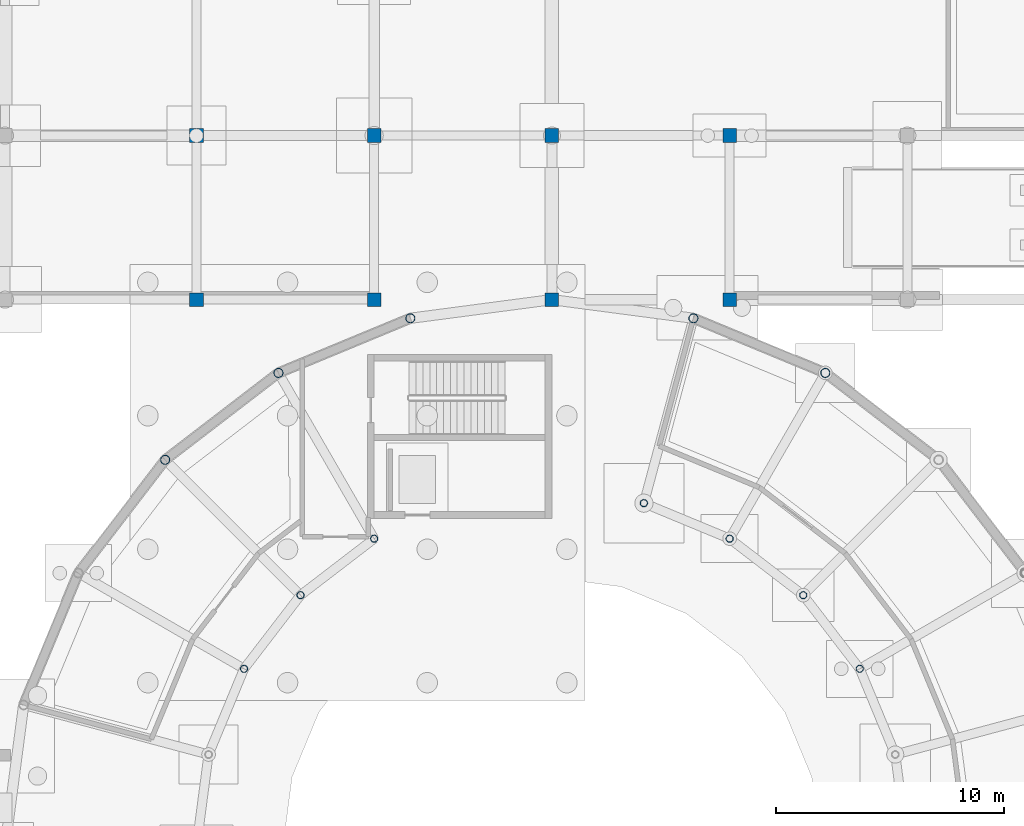
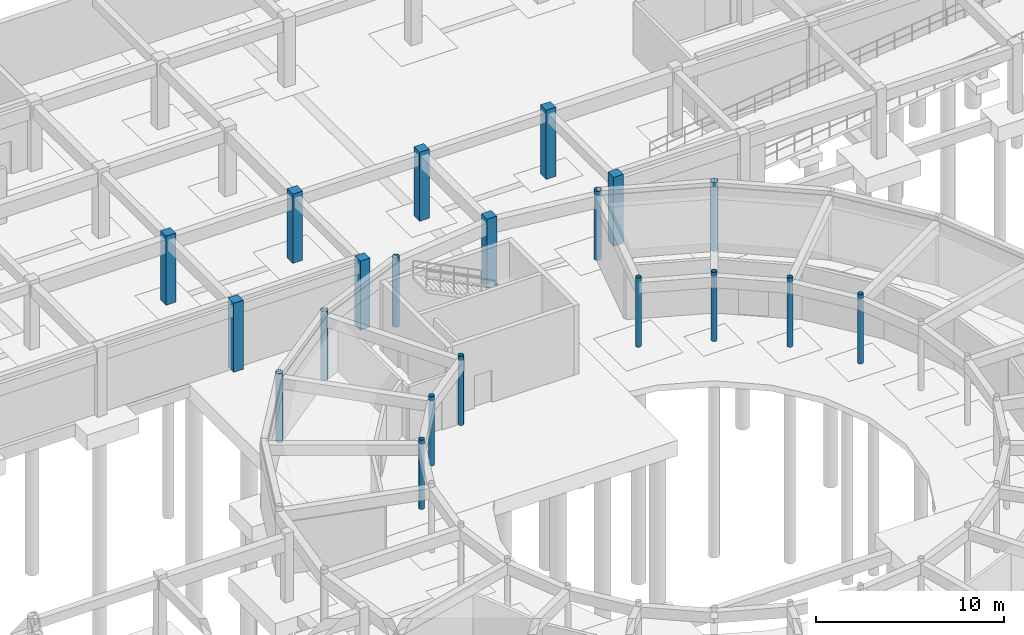
# One storey, part 19 of 43: 20 columns.
"""IFC4 building model written with IfcOpenShell, lengths in metres."""

import ifcopenshell
import ifcopenshell.guid

model = None  # the IFC model being written
_history = None  # IfcOwnerHistory: only IFC2X3 demands one
_inside = {}  # id of a spatial element -> (the spatial element, [elements in it])
_under = {}  # id of a project, library or spatial element -> (it, [spatial elements below it])
_declared = {}  # id of a project -> (the project, [libraries it declares])
_typed = {}  # id of a type object -> (the type object, [elements of that type])
_made_of = {}  # id of a material, layer set ... -> (it, [elements and type objects made of it])


def new_model(schema):
    """Start an empty IFC model of exactly this schema.

    Asked for "IFC4X3", IfcOpenShell would pick the latest addendum, in which some entities
    have other attributes; the version numbers below select the first issue.
    IFC2X3 requires an IfcOwnerHistory on every rooted entity: one is made here for all.
    """
    global model, _history
    if schema == "IFC4X3":
        model = ifcopenshell.file(schema_version=(4, 3, 0, 0))
    else:
        model = ifcopenshell.file(schema=schema)
    _inside.clear()
    _under.clear()
    _declared.clear()
    _typed.clear()
    _made_of.clear()
    _history = None
    if model.schema == "IFC2X3":
        org = make("IfcOrganization", Name="unknown")
        user = make(
            "IfcPersonAndOrganization",
            ThePerson=make("IfcPerson", FamilyName="unknown"),
            TheOrganization=org,
        )
        app = make(
            "IfcApplication",
            ApplicationDeveloper=org,
            Version="unknown",
            ApplicationFullName="unknown",
            ApplicationIdentifier="unknown",
        )
        _history = make(
            "IfcOwnerHistory",
            OwningUser=user,
            OwningApplication=app,
            ChangeAction="ADDED",
            CreationDate=0,
        )
    return model


def make(cls, **values):
    """One entity of the class cls with the attributes given. An attribute that is None is left unset."""
    return model.create_entity(
        cls, **{name: value for name, value in values.items() if value is not None}
    )


def rooted(cls, **values):
    """An entity with a GlobalId (a new one), such as an element, a storey or a relation."""
    return make(cls, GlobalId=ifcopenshell.guid.new(), OwnerHistory=_history, **values)


def si_unit(unit_type, name, prefix=None):
    """IfcSIUnit, for example si_unit("LENGTHUNIT", "METRE", prefix="MILLI")."""
    return make("IfcSIUnit", UnitType=unit_type, Prefix=prefix, Name=name)


def derived_unit(unit_type, elements):
    """IfcDerivedUnit: a product of units, each with its exponent."""
    return make(
        "IfcDerivedUnit",
        Elements=[
            make("IfcDerivedUnitElement", Unit=unit, Exponent=power)
            for unit, power in elements
        ],
        UnitType=unit_type,
    )


def assignment(units):
    """IfcUnitAssignment: the units of a project."""
    return None if units is None else make("IfcUnitAssignment", Units=units)


def point(xyz):
    """IfcCartesianPoint."""
    return None if xyz is None else make("IfcCartesianPoint", Coordinates=xyz)


def direction(xyz):
    """IfcDirection."""
    return None if xyz is None else make("IfcDirection", DirectionRatios=xyz)


def frame(location, z_axis=None, x_axis=None):
    """IfcAxis2Placement3D, a coordinate frame: its origin and axes. An axis left out is left unset."""
    return make(
        "IfcAxis2Placement3D",
        Location=point(location),
        Axis=direction(z_axis),
        RefDirection=direction(x_axis),
    )


def frame_2d(location, x_axis=None):
    """IfcAxis2Placement2D, a coordinate frame in the plane: its origin and x axis."""
    return make(
        "IfcAxis2Placement2D", Location=point(location), RefDirection=direction(x_axis)
    )


def origin():
    """The frame at (0, 0, 0) with its axes left unset."""
    return frame((0.0, 0.0, 0.0))


def origin_2d():
    """The frame at (0, 0) in the plane with its x axis left unset."""
    return frame_2d((0.0, 0.0))


def place(relative_to, where):
    """IfcLocalPlacement: puts the frame where relative to a parent placement (None: the world)."""
    return make(
        "IfcLocalPlacement", PlacementRelTo=relative_to, RelativePlacement=where
    )


def context(
    kind, dimensions, precision=None, world=None, true_north=None, identifier=None
):
    """IfcGeometricRepresentationContext, for example the 3D "Model" context."""
    return make(
        "IfcGeometricRepresentationContext",
        ContextIdentifier=identifier,
        ContextType=kind,
        CoordinateSpaceDimension=dimensions,
        Precision=precision,
        WorldCoordinateSystem=world,
        TrueNorth=true_north,
    )


def subcontext(parent, identifier, kind, view, scale=None):
    """IfcGeometricRepresentationSubContext, for example "Body" below "Model"."""
    return make(
        "IfcGeometricRepresentationSubContext",
        ContextIdentifier=identifier,
        ContextType=kind,
        ParentContext=parent,
        TargetScale=scale,
        TargetView=view,
    )


def project(units=None, contexts=None):
    """IfcProject with its units and contexts."""
    return rooted(
        "IfcProject",
        Name="project",
        RepresentationContexts=contexts,
        UnitsInContext=assignment(units),
    )


def spatial(cls, under=None, at=None, **own):
    """A site, building, storey or space (cls), placed at a placement, below another one or the project."""
    s = rooted(cls, ObjectPlacement=at, **own)
    if under is not None:
        _under.setdefault(under.id(), (under, []))[1].append(s)
    return s


def profile(cls, at=None, kind="AREA", **sizes):
    """A parametric profile (cls). Its sizes go by their IFC names, for example OverallWidth=200.0."""
    return make(cls, ProfileType=kind, Position=at, **sizes)


def rectangle(**sizes):
    """IfcRectangleProfileDef."""
    return profile("IfcRectangleProfileDef", **sizes)


def hollow_circle(**sizes):
    """IfcCircleHollowProfileDef."""
    return profile("IfcCircleHollowProfileDef", **sizes)


def extrude(swept, where, along, depth):
    """IfcExtrudedAreaSolid: the profile swept, set in the frame where, extruded along a direction by depth."""
    return make(
        "IfcExtrudedAreaSolid",
        SweptArea=swept,
        Position=where,
        ExtrudedDirection=direction(along),
        Depth=depth,
    )


def shape(context_of_items, identifier, shape_type, items):
    """IfcShapeRepresentation: the items that make up one representation, for example the "Body"."""
    return make(
        "IfcShapeRepresentation",
        ContextOfItems=context_of_items,
        RepresentationIdentifier=identifier,
        RepresentationType=shape_type,
        Items=items,
    )


def material(Name=None, Category=None):
    """IfcMaterial."""
    return make("IfcMaterial", Name=Name, Category=Category)


def material_profile(
    of_material, cross_section, Name=None, Category=None, Priority=None
):
    """IfcMaterialProfile: a cross section and its material."""
    return make(
        "IfcMaterialProfile",
        Name=Name,
        Material=of_material,
        Profile=cross_section,
        Priority=Priority,
        Category=Category,
    )


def profile_set(profiles, Name=None, composite=None):
    """IfcMaterialProfileSet."""
    return make(
        "IfcMaterialProfileSet",
        Name=Name,
        MaterialProfiles=profiles,
        CompositeProfile=composite,
    )


def made_of(thing, what):
    """Note that an element or type object is made of a material, layer set ...; save() writes the relation."""
    if what is not None:
        _made_of.setdefault(what.id(), (what, []))[1].append(thing)
    return thing


def type_object(cls, material=None, **own):
    """A type object (cls), such as IfcWallType, which elements share."""
    return made_of(rooted(cls, **own), material)


def element(
    cls,
    number,
    at=None,
    inside=None,
    cuts=None,
    type_object=None,
    material=None,
    context=None,
    identifier="Body",
    shape_type=None,
    held_by="IfcProductDefinitionShape",
    body=None,
    shapes=None,
    **own,
):
    """One element of the class cls, such as IfcWall. Its Tag is "e" and its number.

    at: its placement. inside: the storey or other place that contains it. cuts: it is an
    opening in that element (IfcRelVoidsElement). A single representation is given by context,
    identifier, shape_type and body (its items); several are given by shapes. held_by: the class
    of the entity that holds the representations. save() writes the other relations.
    """
    e = rooted(cls, Tag="e%d" % number, ObjectPlacement=at, **own)
    if body is not None:
        shapes = [shape(context, identifier, shape_type, body)]
    if shapes is not None:
        e.Representation = make(held_by, Representations=shapes)
    if inside is not None:
        _inside.setdefault(inside.id(), (inside, []))[1].append(e)
    if cuts is not None:
        rooted(
            "IfcRelVoidsElement", RelatingBuildingElement=cuts, RelatedOpeningElement=e
        )
    if type_object is not None:
        _typed.setdefault(type_object.id(), (type_object, []))[1].append(e)
    return made_of(e, material)


def aggregate(whole, parts):
    """IfcRelAggregates: a whole, such as a stair, and the parts it consists of."""
    return rooted("IfcRelAggregates", RelatingObject=whole, RelatedObjects=parts)


def save(model, path):
    """Write the relations noted so far, then the file.

    IfcRelAggregates (storeys below a building ...), IfcRelContainedInSpatialStructure (elements
    in a storey), IfcRelDefinesByType, IfcRelAssociatesMaterial and IfcRelDeclares: one each for
    every whole, place, type object, material and project.
    """
    for whole, parts in _under.values():
        aggregate(whole, parts)
    for where, things in _inside.values():
        rooted(
            "IfcRelContainedInSpatialStructure",
            RelatedElements=things,
            RelatingStructure=where,
        )
    for kind, things in _typed.values():
        rooted("IfcRelDefinesByType", RelatedObjects=things, RelatingType=kind)
    for what, things in _made_of.values():
        rooted("IfcRelAssociatesMaterial", RelatedObjects=things, RelatingMaterial=what)
    for by, libraries in _declared.values():
        rooted("IfcRelDeclares", RelatingContext=by, RelatedDefinitions=libraries)
    model.write(path)


model = new_model("IFC4")

# Units and contexts
model_context = context("Model", 3, precision=1e-05, world=origin(), true_north=direction((0.0, 1.0)))
body_context = subcontext(model_context, "Body", "Model", "MODEL_VIEW")
ifc_project = project(units=[si_unit("LENGTHUNIT", "METRE"), si_unit("AREAUNIT", "SQUARE_METRE"), si_unit("VOLUMEUNIT", "CUBIC_METRE"), si_unit("PLANEANGLEUNIT", "RADIAN"), si_unit("MASSUNIT", "GRAM", prefix="KILO"), derived_unit("THERMALTRANSMITTANCEUNIT", [(si_unit("POWERUNIT", "WATT"), 1), (si_unit("AREAUNIT", "SQUARE_METRE"), -1), (si_unit("THERMODYNAMICTEMPERATUREUNIT", "KELVIN"), -1)])], contexts=[model_context])

# Site, building, storey
site_placement = place(None, origin())
site = spatial("IfcSite", under=ifc_project, at=site_placement, CompositionType="ELEMENT")
building_placement = place(site_placement, origin())
building = spatial("IfcBuilding", under=site, at=building_placement, Name="Yasenodar Specialist Clinic", CompositionType="ELEMENT")
storey_placement = place(building_placement, frame((0.0, 0.0, -4.5)))
storey = spatial("IfcBuildingStorey", under=building, at=storey_placement, Name="B1", CompositionType="ELEMENT", Elevation=-4.5)

# Columns
ifc_material_1 = material(Name="Concrete C35/45", Category="concrete")
ifc_material_profile_1 = material_profile(ifc_material_1, rectangle(XDim=0.60009765625, YDim=0.60009765625, at=origin_2d()), Name="RC 600x600")
ifc_profile_set_1 = profile_set([ifc_material_profile_1], Name="Concrete C35/45")
column_type_1 = type_object("IfcColumnType", Name="COL-RC-600", PredefinedType="COLUMN", material=ifc_profile_set_1)
for number, where, z_axis, x_axis, name in (
    (1, (65.39990234375, 82.800048828125, 0.0), (0.0, 0.0, 1.0), (1.0, 0.0, 0.0), "B1 Column V5-093"),
    (2, (65.39990234375, 90.0, 0.0), (0.0, 0.0, 1.0), (1.0, 0.0, 0.0), "B1 Column V5-094"),
    (3, (73.199951171875, 82.800048828125, 0.0), (0.0, 0.0, 1.0), (1.0, 0.0, 0.0), "B1 Column V5-098"),
    (4, (73.199951171875, 90.0, 0.0), (0.0, 0.0, 1.0), (1.0, 0.0, 0.0), "B1 Column V5-099"),
    (5, (81.0, 82.800048828125, 0.0), (0.0, 0.0, 1.0), (1.0, 0.0, 0.0), "B1 Column V5-103"),
    (6, (81.0, 90.0, 0.0), (0.0, 0.0, 1.0), (1.0, 0.0, 0.0), "B1 Column V5-104"),
    (7, (88.800048828125, 82.800048828125, 0.0), (0.0, 0.0, 1.0), (1.0, 0.0, 0.0), "B1 Column V5-107"),
    (8, (88.800048828125, 90.0, 0.0), (0.0, 0.0, 1.0), (1.0, 0.0, 0.0), "B1 Column V5-108"),
):
    element("IfcColumn", number, at=place(storey_placement, frame(where, z_axis=z_axis, x_axis=x_axis)), inside=storey, type_object=column_type_1, Name=name, PredefinedType="COLUMN", context=body_context, shape_type="SweptSolid", body=[
        extrude(rectangle(XDim=0.60009765625, YDim=0.60009765625, at=origin_2d()), origin(), (0.0, 0.0, 1.0), 4.5),
    ])
ifc_material_2 = material(Name="Steel S355", Category="steel")
ifc_material_profile_2 = material_profile(ifc_material_2, hollow_circle(Radius=0.161865234375, WallThickness=0.01611328125, at=origin_2d()), Name="CHS 323.9x16")
ifc_profile_set_2 = profile_set([ifc_material_profile_2], Name="Steel S355")
column_type_2 = type_object("IfcColumnType", Name="COL-ST-CHS324", PredefinedType="COLUMN", material=ifc_profile_set_2)
for number, where, z_axis, x_axis, name in (
    (9, (94.510009765625, 66.60009765625, 0.0), (0.0, 0.0, 1.0), (1.0, 0.0, 0.0), "B1 Drum V1 Inner Column 03"),
    (10, (92.031005859375, 69.830810546875, 0.0), (0.0, 0.0, 1.0), (1.0, 0.0, 0.0), "B1 Drum V1 Inner Column 04"),
    (11, (88.800048828125, 72.31005859375, 0.0), (0.0, 0.0, 1.0), (1.0, 0.0, 0.0), "B1 Drum V1 Inner Column 05"),
    (12, (85.03759765625, 73.868408203125, 0.0), (0.0, 0.0, 1.0), (1.0, 0.0, 0.0), "B1 Drum V1 Inner Column 06"),
    (13, (73.199951171875, 72.31005859375, 0.0), (0.0, 0.0, 1.0), (1.0, 0.0, 0.0), "B1 Drum V1 Inner Column 09"),
    (14, (69.968994140625, 69.830810546875, 0.0), (0.0, 0.0, 1.0), (1.0, 0.0, 0.0), "B1 Drum V1 Inner Column 10"),
    (15, (67.489990234375, 66.60009765625, 0.0), (0.0, 0.0, 1.0), (1.0, 0.0, 0.0), "B1 Drum V1 Inner Column 11"),
):
    element("IfcColumn", number, at=place(storey_placement, frame(where, z_axis=z_axis, x_axis=x_axis)), inside=storey, type_object=column_type_2, Name=name, PredefinedType="COLUMN", context=body_context, shape_type="SweptSolid", body=[
        extrude(hollow_circle(Radius=0.161865234375, WallThickness=0.01611328125, at=origin_2d()), origin(), (0.0, 0.0, 1.0), 4.5),
    ])
ifc_material_profile_3 = material_profile(ifc_material_2, hollow_circle(Radius=0.203125, WallThickness=0.01611328125, at=origin_2d()), Name="CHS 406.4x16")
ifc_profile_set_3 = profile_set([ifc_material_profile_3], Name="Steel S355")
column_type_3 = type_object("IfcColumnType", Name="COL-ST-CHS406", PredefinedType="COLUMN", material=ifc_profile_set_3)
for number, where, z_axis, x_axis, name in (
    (16, (93.0, 79.584716796875, 0.0), (0.0, 0.0, 1.0), (1.0, 0.0, 0.0), "B1 Drum V1 Outer Column 05"),
    (17, (87.211669921875, 81.982177734375, 0.0), (0.0, 0.0, 1.0), (1.0, 0.0, 0.0), "B1 Drum V1 Outer Column 06"),
    (18, (74.788330078125, 81.982177734375, 0.0), (0.0, 0.0, 1.0), (1.0, 0.0, 0.0), "B1 Drum V1 Outer Column 08"),
    (19, (69.0, 79.584716796875, 0.0), (0.0, 0.0, 1.0), (1.0, 0.0, 0.0), "B1 Drum V1 Outer Column 09"),
    (20, (64.029296875, 75.7705078125, 0.0), (0.0, 0.0, 1.0), (1.0, 0.0, 0.0), "B1 Drum V1 Outer Column 10"),
):
    element("IfcColumn", number, at=place(storey_placement, frame(where, z_axis=z_axis, x_axis=x_axis)), inside=storey, type_object=column_type_3, Name=name, PredefinedType="COLUMN", context=body_context, shape_type="SweptSolid", body=[
        extrude(hollow_circle(Radius=0.203125, WallThickness=0.01611328125, at=origin_2d()), origin(), (0.0, 0.0, 1.0), 4.5),
    ])

save(model, "model.ifc")
